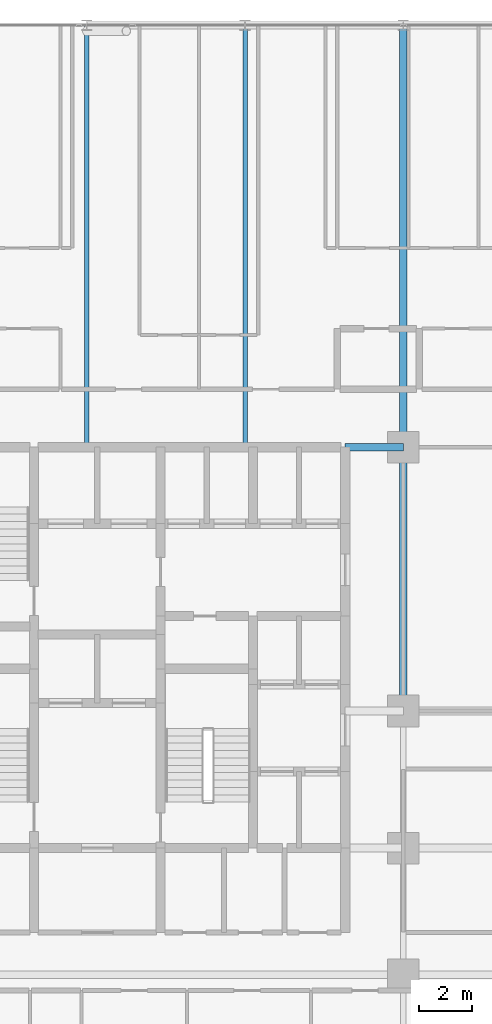
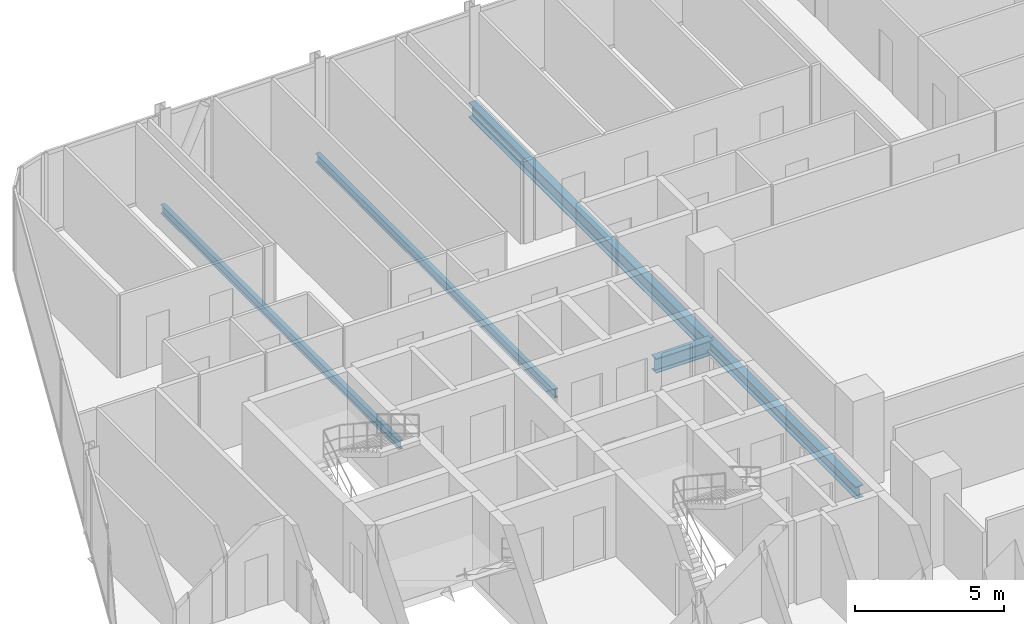
# One storey, part 13 of 33: 5 beams.
"""IFC4 building model written with IfcOpenShell, lengths in metres."""

from ifc_helpers import new_model, si_unit, direction, frame, origin, origin_2d, place, context, subcontext, project, spatial, i_section, extrude, material, material_profile, profile_set, type_object, element, save


model = new_model("IFC4")

# Units and contexts
model_context = context("Model", 3, precision=1e-05, world=origin(), true_north=direction((0.0, 1.0)))
body_context = subcontext(model_context, "Body", "Model", "MODEL_VIEW")
ifc_project = project(units=[si_unit("LENGTHUNIT", "METRE"), si_unit("AREAUNIT", "SQUARE_METRE"), si_unit("VOLUMEUNIT", "CUBIC_METRE"), si_unit("PLANEANGLEUNIT", "RADIAN"), si_unit("MASSUNIT", "GRAM", prefix="KILO")], contexts=[model_context])

# Site, building, storey
site_placement = place(None, origin())
site = spatial("IfcSite", under=ifc_project, at=site_placement, CompositionType="ELEMENT")
building_placement = place(site_placement, origin())
building = spatial("IfcBuilding", under=site, at=building_placement, Name="Keshet Zoharim Tower", CompositionType="ELEMENT")
storey_placement = place(building_placement, frame((0.0, 0.0, 73.800048828125)))
storey = spatial("IfcBuildingStorey", under=building, at=storey_placement, Name="L17", CompositionType="ELEMENT", Elevation=73.800048828125)

# Beams
ifc_material = material(Name="Steel S355", Category="steel")
ifc_material_profile_1 = material_profile(ifc_material, i_section(OverallWidth=0.300048828125, OverallDepth=0.60009765625, WebThickness=0.015380859375, FlangeThickness=0.030029296875, FilletRadius=0.027099609375, at=origin_2d()), Name="HEB600")
ifc_profile_set_1 = profile_set([ifc_material_profile_1], Name="Steel S355")
beam_type_1 = type_object("IfcBeamType", Name="BM-CLK-HB600", PredefinedType="BEAM", material=ifc_profile_set_1)
beam_1_placement = place(storey_placement, frame((30.800048828125, 37.89990234375, -0.614990234375), z_axis=(1.0, 0.0, 0.0), x_axis=(0.0, 1.0, 0.0)))
element("IfcBeam", 1, at=beam_1_placement, inside=storey, type_object=beam_type_1, Name="L17 Core Wall Link Girder 03", PredefinedType="BEAM", context=body_context, shape_type="SweptSolid", body=[
    extrude(i_section(OverallWidth=0.300048828125, OverallDepth=0.60009765625, WebThickness=0.015380859375, FlangeThickness=0.030029296875, FilletRadius=0.027099609375, at=origin_2d()), origin(), (0.0, 0.0, 1.0), 2.199951171875),
])
ifc_material_profile_2 = material_profile(ifc_material, i_section(OverallWidth=0.169921875, OverallDepth=0.360107421875, WebThickness=0.008056640625, FlangeThickness=0.0126953125, FilletRadius=0.01806640625, at=origin_2d()), Name="IPE360")
ifc_profile_set_2 = profile_set([ifc_material_profile_2], Name="Steel S355")
beam_type_2 = type_object("IfcBeamType", Name="BM-JST-IP360", PredefinedType="JOIST", material=ifc_profile_set_2)
for number, where, z_axis, x_axis, name in (
    (2, (21.0, 37.89990234375, -0.4951171875), (0.0, 1.0, 0.0), (-1.0, 0.0, 0.0), "L17 Secondary Floor Joist J-001"),
    (3, (27.0, 37.89990234375, -0.4951171875), (0.0, 1.0, 0.0), (-1.0, 0.0, 0.0), "L17 Secondary Floor Joist J-002"),
):
    element("IfcBeam", number, at=place(storey_placement, frame(where, z_axis=z_axis, x_axis=x_axis)), inside=storey, type_object=beam_type_2, Name=name, PredefinedType="JOIST", context=body_context, shape_type="SweptSolid", body=[
        extrude(i_section(OverallWidth=0.169921875, OverallDepth=0.360107421875, WebThickness=0.008056640625, FlangeThickness=0.0126953125, FilletRadius=0.01806640625, at=origin_2d()), origin(), (0.0, 0.0, 1.0), 16.0),
    ])
ifc_material_profile_3 = material_profile(ifc_material, i_section(OverallWidth=0.300048828125, OverallDepth=0.60009765625, WebThickness=0.015380859375, FlangeThickness=0.030029296875, FilletRadius=0.027099609375, at=origin_2d()), Name="HEB600")
ifc_profile_set_3 = profile_set([ifc_material_profile_3], Name="Steel S355")
beam_type_3 = type_object("IfcBeamType", Name="BM-LNG-HB600", PredefinedType="BEAM", material=ifc_profile_set_3)
beam_2_placement = place(storey_placement, frame((33.0, 37.89990234375, -0.614990234375), z_axis=(0.0, 1.0, 0.0), x_axis=(-1.0, 0.0, 0.0)))
element("IfcBeam", 4, at=beam_2_placement, inside=storey, type_object=beam_type_3, Name="L17 Primary Girder Y-011", PredefinedType="BEAM", context=body_context, shape_type="SweptSolid", body=[
    extrude(i_section(OverallWidth=0.300048828125, OverallDepth=0.60009765625, WebThickness=0.015380859375, FlangeThickness=0.030029296875, FilletRadius=0.027099609375, at=origin_2d()), origin(), (0.0, 0.0, 1.0), 16.0),
])
ifc_material_profile_4 = material_profile(ifc_material, i_section(OverallWidth=0.300048828125, OverallDepth=0.5, WebThickness=0.014404296875, FlangeThickness=0.028076171875, FilletRadius=0.027099609375, at=origin_2d()), Name="HEB500")
ifc_profile_set_4 = profile_set([ifc_material_profile_4], Name="Steel S355")
beam_type_4 = type_object("IfcBeamType", Name="BM-MED-HB500", PredefinedType="BEAM", material=ifc_profile_set_4)
beam_3_placement = place(storey_placement, frame((33.0, 27.89990234375, -0.56494140625), z_axis=(0.0, 1.0, 0.0), x_axis=(-1.0, 0.0, 0.0)))
element("IfcBeam", 5, at=beam_3_placement, inside=storey, type_object=beam_type_4, Name="L17 Primary Girder Y-010", PredefinedType="BEAM", context=body_context, shape_type="SweptSolid", body=[
    extrude(i_section(OverallWidth=0.300048828125, OverallDepth=0.5, WebThickness=0.014404296875, FlangeThickness=0.028076171875, FilletRadius=0.027099609375, at=origin_2d()), origin(), (0.0, 0.0, 1.0), 10.0),
])

save(model, "model.ifc")
